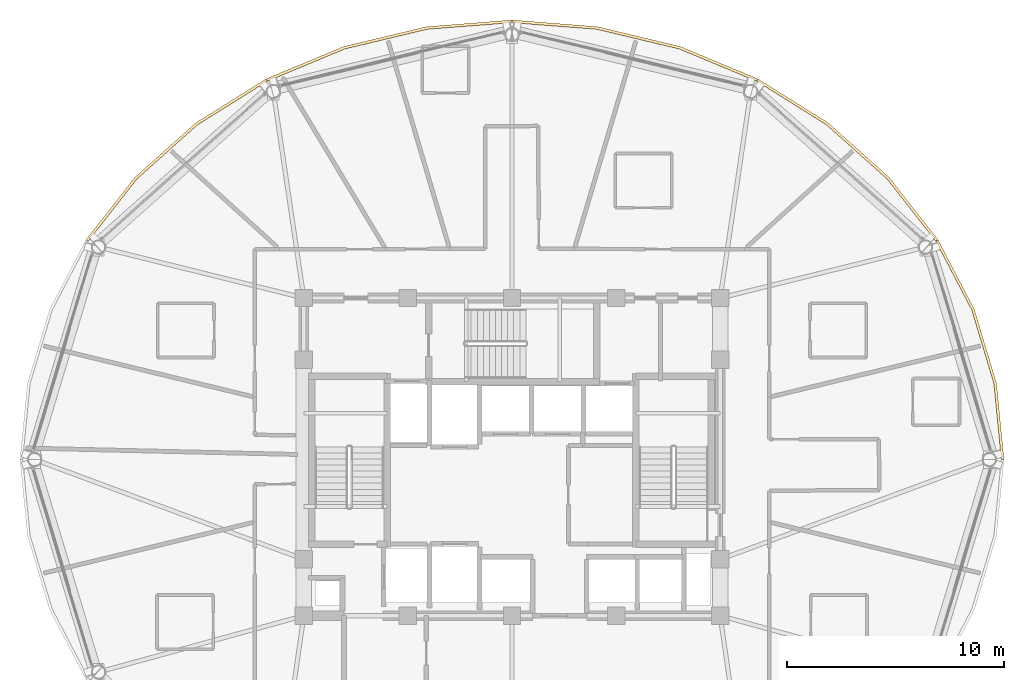
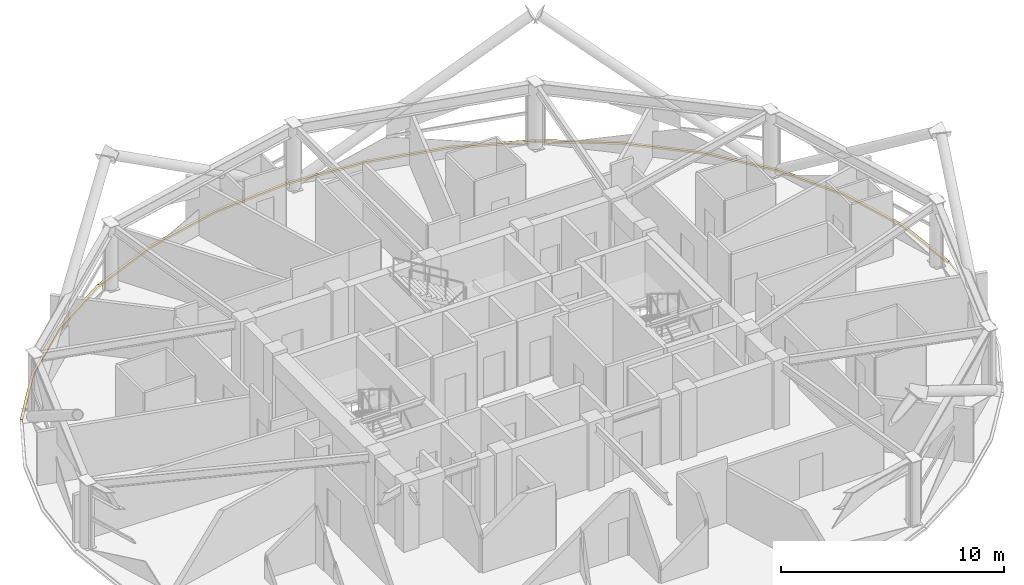
# One storey, part 29 of 29: 5 coverings.
"""IFC4 building model written with IfcOpenShell, lengths in metres."""

from ifc_helpers import new_model, si_unit, direction, frame, origin, place, context, subcontext, project, spatial, polyline, outline, extrude, material, layer, layer_set, type_object, element, save


model = new_model("IFC4")

# Units and contexts
model_context = context("Model", 3, precision=1e-05, world=origin(), true_north=direction((0.0, 1.0)))
body_context = subcontext(model_context, "Body", "Model", "MODEL_VIEW")
ifc_project = project(units=[si_unit("LENGTHUNIT", "METRE"), si_unit("AREAUNIT", "SQUARE_METRE"), si_unit("VOLUMEUNIT", "CUBIC_METRE"), si_unit("PLANEANGLEUNIT", "RADIAN"), si_unit("MASSUNIT", "GRAM", prefix="KILO")], contexts=[model_context])

# Site, building, storey
site_placement = place(None, origin())
site = spatial("IfcSite", under=ifc_project, at=site_placement, CompositionType="ELEMENT")
building_placement = place(site_placement, origin())
building = spatial("IfcBuilding", under=site, at=building_placement, Name="Vantalir Tower", CompositionType="ELEMENT")
storey_placement = place(building_placement, frame((0.0, 0.0, 219.89990234375)))
storey = spatial("IfcBuildingStorey", under=building, at=storey_placement, Name="L55", CompositionType="ELEMENT", Elevation=219.89990234375)

# Coverings
ifc_material = material(Name="Anodised champagne aluminium sill fascia", Category="aluminium")
ifc_layer = layer(ifc_material, 0.125)
ifc_layer_set = layer_set([ifc_layer], Name="Anodised champagne aluminium sill fascia")
covering_type = type_object("IfcCoveringType", Name="COV-SLAB-FASCIA-125", PredefinedType="CLADDING", material=ifc_layer_set)
covering_1_placement = place(storey_placement, frame((0.0, 0.0, -0.179931640625)))
element("IfcCovering", 1, at=covering_1_placement, inside=storey, type_object=covering_type, Name="L55 Perimeter Slab-Edge Sill Fascia 01", PredefinedType="CLADDING", context=body_context, shape_type="SweptSolid", body=[
    extrude(outline(polyline([(54.18798828125, 25.0), (53.843017578125, 28.52001953125), (52.820068359375, 31.93310546875), (51.14794921875, 35.135009765625), (51.0400390625, 35.072998046875), (52.701904296875, 31.889892578125), (53.719970703125, 28.498046875), (54.06298828125, 25.0), (54.18798828125, 25.0)])), origin(), (0.0, 0.0, 1.0), 0.10498046875),
])
covering_2_placement = place(storey_placement, frame((0.0, 0.0, -0.179931640625)))
element("IfcCovering", 2, at=covering_2_placement, inside=storey, type_object=covering_type, Name="L55 Perimeter Slab-Edge Sill Fascia 02", PredefinedType="CLADDING", context=body_context, shape_type="SweptSolid", body=[
    extrude(outline(polyline([(51.14794921875, 35.135009765625), (48.8798828125, 38.030029296875), (46.083984375, 40.528076171875), (42.843994140625, 42.554931640625), (42.781982421875, 42.447021484375), (46.0029296875, 40.43310546875), (48.783935546875, 37.949951171875), (51.0400390625, 35.072998046875), (51.14794921875, 35.135009765625)])), origin(), (0.0, 0.0, 1.0), 0.10498046875),
])
covering_3_placement = place(storey_placement, frame((0.0, 0.0, -0.179931640625)))
element("IfcCovering", 3, at=covering_3_placement, inside=storey, type_object=covering_type, Name="L55 Perimeter Slab-Edge Sill Fascia 03", PredefinedType="CLADDING", context=body_context, shape_type="SweptSolid", body=[
    extrude(outline(polyline([(42.843994140625, 42.554931640625), (39.260009765625, 44.049072265625), (35.43994140625, 44.962890625), (31.5, 45.27099609375), (31.5, 45.14599609375), (35.41796875, 44.840087890625), (39.217041015625, 43.930908203125), (42.781982421875, 42.447021484375), (42.843994140625, 42.554931640625)])), origin(), (0.0, 0.0, 1.0), 0.10498046875),
])
covering_4_placement = place(storey_placement, frame((0.0, 0.0, -0.179931640625)))
element("IfcCovering", 4, at=covering_4_placement, inside=storey, type_object=covering_type, Name="L55 Perimeter Slab-Edge Sill Fascia 04", PredefinedType="CLADDING", context=body_context, shape_type="SweptSolid", body=[
    extrude(outline(polyline([(31.5, 45.27099609375), (27.56005859375, 44.962890625), (23.739990234375, 44.049072265625), (20.156005859375, 42.554931640625), (20.218994140625, 42.447021484375), (23.782958984375, 43.930908203125), (27.58203125, 44.840087890625), (31.5, 45.14599609375), (31.5, 45.27099609375)])), origin(), (0.0, 0.0, 1.0), 0.10498046875),
])
covering_5_placement = place(storey_placement, frame((0.0, 0.0, -0.179931640625)))
element("IfcCovering", 5, at=covering_5_placement, inside=storey, type_object=covering_type, Name="L55 Perimeter Slab-Edge Sill Fascia 05", PredefinedType="CLADDING", context=body_context, shape_type="SweptSolid", body=[
    extrude(outline(polyline([(20.156005859375, 42.554931640625), (16.916015625, 40.528076171875), (14.1201171875, 38.030029296875), (11.85205078125, 35.135009765625), (11.9599609375, 35.072998046875), (14.216064453125, 37.949951171875), (16.9970703125, 40.43310546875), (20.218994140625, 42.447021484375), (20.156005859375, 42.554931640625)])), origin(), (0.0, 0.0, 1.0), 0.10498046875),
])

save(model, "model.ifc")
